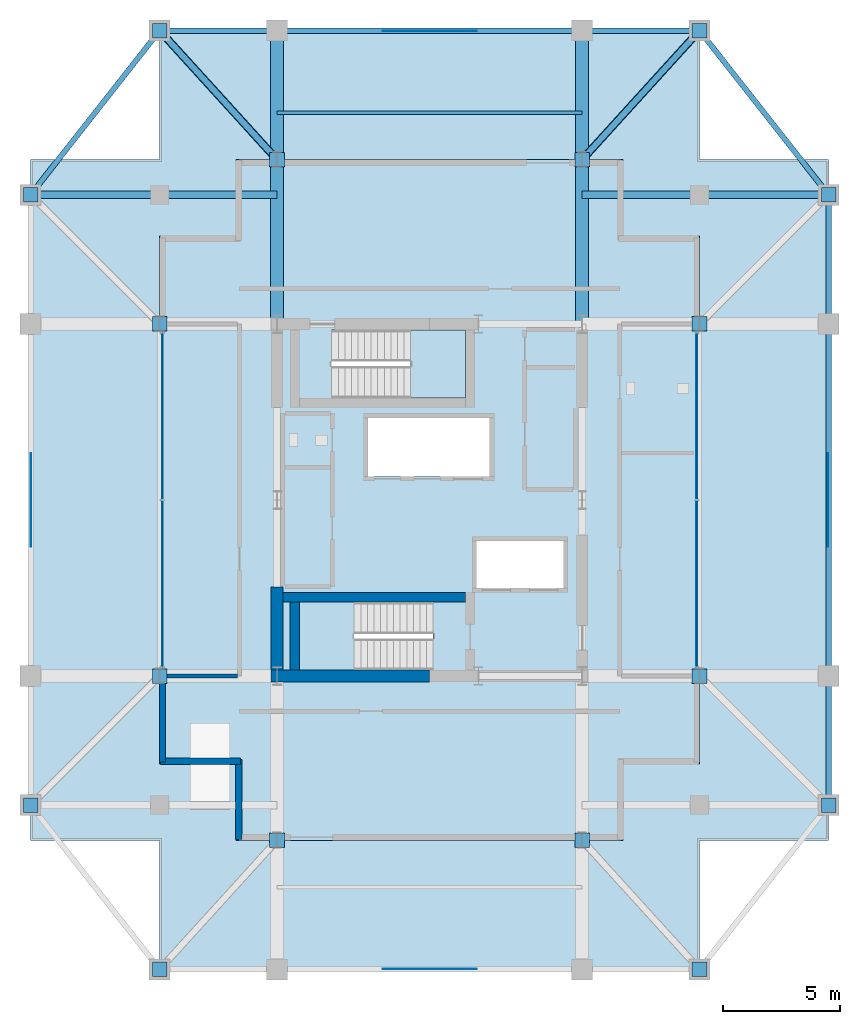
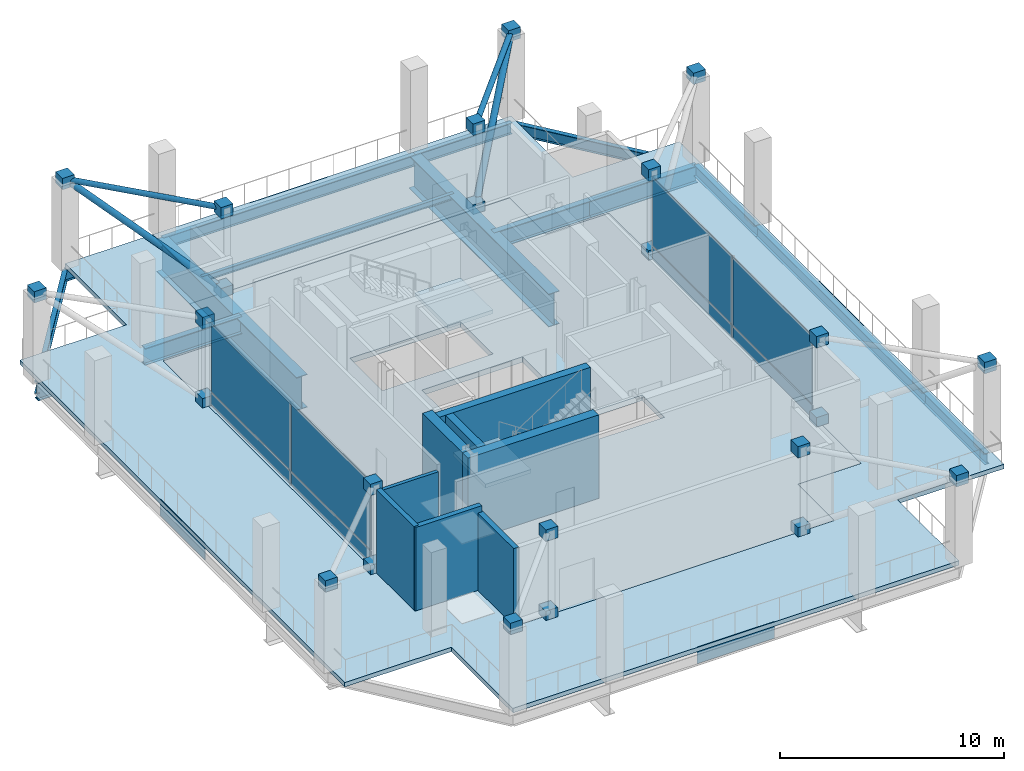
# One storey, part 11 of 17: 36 plates, 15 beams, 8 walls, 4 members, 4 slabs, 4 elements without a shape of their own.
"""IFC4 building model written with IfcOpenShell, lengths in metres."""

from ifc_helpers import new_model, si_unit, direction, frame, frame_2d, origin, origin_2d, place, context, subcontext, project, spatial, polyline, rectangle, hollow_circle, i_section, outline, extrude, material, layer, layer_set, material_profile, profile_set, type_object, element, aggregate, save


model = new_model("IFC4")

# Units and contexts
model_context = context("Model", 3, precision=1e-05, world=origin(), true_north=direction((0.0, 1.0)))
body_context = subcontext(model_context, "Body", "Model", "MODEL_VIEW")
ifc_project = project(units=[si_unit("LENGTHUNIT", "METRE"), si_unit("AREAUNIT", "SQUARE_METRE"), si_unit("VOLUMEUNIT", "CUBIC_METRE"), si_unit("PLANEANGLEUNIT", "RADIAN"), si_unit("MASSUNIT", "GRAM", prefix="KILO")], contexts=[model_context])

# Site, building, storey
site_placement = place(None, origin())
site = spatial("IfcSite", under=ifc_project, at=site_placement, CompositionType="ELEMENT")
building_placement = place(site_placement, origin())
building = spatial("IfcBuilding", under=site, at=building_placement, Name="Barlavira Tower and Art Museum", CompositionType="ELEMENT")
storey_placement = place(building_placement, frame((0.0, 0.0, 305.10009765625)))
storey = spatial("IfcBuildingStorey", under=building, at=storey_placement, Name="L80", CompositionType="ELEMENT", Elevation=305.10009765625)

# Beam
ifc_material_1 = material(Name="Steel S355", Category="steel")
ifc_material_profile_1 = material_profile(ifc_material_1, i_section(OverallWidth=0.1669921875, OverallDepth=0.31689453125, WebThickness=0.007568359375, FlangeThickness=0.01318359375, at=origin_2d()), Name="W310x52.0")
ifc_profile_set_1 = profile_set([ifc_material_profile_1], Name="Steel S355")
beam_type_1 = type_object("IfcBeamType", Name="Crown Floor Joist W310x52 Steel S355", PredefinedType="JOIST", material=ifc_profile_set_1)
beam_1_placement = place(storey_placement, frame((-6.5, 16.5, -0.45849609375), z_axis=(1.0, 0.0, 0.0), x_axis=(0.0, 1.0, 0.0)))
element("IfcBeam", 1, at=beam_1_placement, inside=storey, type_object=beam_type_1, Name="L80 Joist C2", PredefinedType="JOIST", context=body_context, shape_type="SweptSolid", body=[
    extrude(i_section(OverallWidth=0.1669921875, OverallDepth=0.31689453125, WebThickness=0.007568359375, FlangeThickness=0.01318359375, at=origin_2d()), origin(), (0.0, 0.0, 1.0), 13.0),
])

# Members
ifc_material_profile_2 = material_profile(ifc_material_1, hollow_circle(Radius=0.136474609375, WallThickness=0.012451171875, at=origin_2d()), Name="CHS 273.0x12.5")
ifc_profile_set_2 = profile_set([ifc_material_profile_2], Name="Steel S355")
member_type_1 = type_object("IfcMemberType", Name="Pale-Metal Canopy Tie Strut CHS 273x12.5 Steel S355", PredefinedType="STRUT", material=ifc_profile_set_2)
for number, where, z_axis, x_axis, name in (
    (2, (-6.5, 14.5, 4.619873046875), (-0.672672793996, 0.739940073396, 0.0), (-0.739940073396, -0.672672793996, 0.0), "L80 Lookout Canopy Horizontal Tie 7"),
    (3, (6.5, 14.5, 4.619873046875), (0.672672793996, 0.739940073396, 0.0), (-0.739940073396, 0.672672793996, 0.0), "L80 Lookout Canopy Horizontal Tie 8"),
):
    element("IfcMember", number, at=place(storey_placement, frame(where, z_axis=z_axis, x_axis=x_axis)), inside=storey, type_object=member_type_1, Name=name, PredefinedType="STRUT", context=body_context, shape_type="SweptSolid", body=[
        extrude(hollow_circle(Radius=0.136474609375, WallThickness=0.012451171875, at=origin_2d()), origin(), (0.0, 0.0, 1.0), 7.43310546875),
    ])
ifc_material_profile_3 = material_profile(ifc_material_1, hollow_circle(Radius=0.161865234375, WallThickness=0.01611328125, at=origin_2d()), Name="CHS 323.9x16.0")
ifc_profile_set_3 = profile_set([ifc_material_profile_3], Name="Steel S355")
member_type_2 = type_object("IfcMemberType", Name="Pale-Metal Crown Diagrid Tube CHS 324x16 Steel S355", PredefinedType="BRACE", material=ifc_profile_set_3)
for number, where, z_axis, x_axis, name in (
    (4, (-6.5, 14.5, 0.199951171875), (-0.578176845865, 0.635994530451, 0.511099297731), (-0.739940073396, -0.672672793996, 0.0), "L80 Lookout Canopy Raking Strut 7"),
    (5, (6.5, 14.5, 0.199951171875), (0.578176845865, 0.635994530451, 0.511099297731), (-0.739940073396, 0.672672793996, 0.0), "L80 Lookout Canopy Raking Strut 8"),
):
    element("IfcMember", number, at=place(storey_placement, frame(where, z_axis=z_axis, x_axis=x_axis)), inside=storey, type_object=member_type_2, Name=name, PredefinedType="BRACE", context=body_context, shape_type="SweptSolid", body=[
        extrude(hollow_circle(Radius=0.161865234375, WallThickness=0.01611328125, at=origin_2d()), origin(), (0.0, 0.0, 1.0), 8.64794921875),
    ])

# Beams
ifc_material_profile_4 = material_profile(ifc_material_1, i_section(OverallWidth=0.30908203125, OverallDepth=0.931884765625, WebThickness=0.01953125, FlangeThickness=0.034423828125, at=origin_2d()), Name="W920x313.0")
ifc_profile_set_4 = profile_set([ifc_material_profile_4], Name="Steel S355")
beam_type_2 = type_object("IfcBeamType", Name="Setback Ring Girder W920x313 Steel S355", PredefinedType="BEAM", material=ifc_profile_set_4)
beam_2_placement = place(storey_placement, frame((-17.0, 13.0, -0.76611328125), z_axis=(1.0, 0.0, 0.0), x_axis=(0.0, 1.0, 0.0)))
element("IfcBeam", 6, at=beam_2_placement, inside=storey, type_object=beam_type_2, Name="L80 Girder I-N1", PredefinedType="BEAM", context=body_context, shape_type="SweptSolid", body=[
    extrude(i_section(OverallWidth=0.30908203125, OverallDepth=0.931884765625, WebThickness=0.01953125, FlangeThickness=0.034423828125, at=origin_2d()), origin(), (0.0, 0.0, 1.0), 5.5),
])
for number, where, z_axis, x_axis, name in (
    (7, (-11.5, 13.0, -0.76611328125), (1.0, 0.0, 0.0), (0.0, 1.0, 0.0), "L80 Girder I-N2"),
    (8, (6.5, 13.0, -0.76611328125), (1.0, 0.0, 0.0), (0.0, 1.0, 0.0), "L80 Girder I-N3"),
):
    element("IfcBeam", number, at=place(storey_placement, frame(where, z_axis=z_axis, x_axis=x_axis)), inside=storey, type_object=beam_type_2, Name=name, PredefinedType="BEAM", context=body_context, shape_type="SweptSolid", body=[
        extrude(i_section(OverallWidth=0.30908203125, OverallDepth=0.931884765625, WebThickness=0.01953125, FlangeThickness=0.034423828125, at=origin_2d()), origin(), (0.0, 0.0, 1.0), 5.0),
    ])
beam_3_placement = place(storey_placement, frame((11.5, 13.0, -0.76611328125), z_axis=(1.0, 0.0, 0.0), x_axis=(0.0, 1.0, 0.0)))
element("IfcBeam", 9, at=beam_3_placement, inside=storey, type_object=beam_type_2, Name="L80 Girder I-N4", PredefinedType="BEAM", context=body_context, shape_type="SweptSolid", body=[
    extrude(i_section(OverallWidth=0.30908203125, OverallDepth=0.931884765625, WebThickness=0.01953125, FlangeThickness=0.034423828125, at=origin_2d()), origin(), (0.0, 0.0, 1.0), 5.5),
])
ifc_material_profile_5 = material_profile(ifc_material_1, i_section(OverallWidth=0.22998046875, OverallDepth=0.616943359375, WebThickness=0.01318359375, FlangeThickness=0.022216796875, at=origin_2d()), Name="W610x140.0")
ifc_profile_set_5 = profile_set([ifc_material_profile_5], Name="Steel S355")
beam_type_3 = type_object("IfcBeamType", Name="Upper Shaft Spandrel Edge Beam W610x140 Steel S355", PredefinedType="SPANDREL", material=ifc_profile_set_5)
beam_4_placement = place(storey_placement, frame((17.0, -13.0, -0.608642578125), z_axis=(0.0, 1.0, 0.0), x_axis=(-1.0, 0.0, 0.0)))
element("IfcBeam", 10, at=beam_4_placement, inside=storey, type_object=beam_type_3, Name="L80 Spandrel 5", PredefinedType="SPANDREL", context=body_context, shape_type="SweptSolid", body=[
    extrude(i_section(OverallWidth=0.22998046875, OverallDepth=0.616943359375, WebThickness=0.01318359375, FlangeThickness=0.022216796875, at=origin_2d()), origin(), (0.0, 0.0, 1.0), 5.5),
])
beam_5_placement = place(storey_placement, frame((17.0, -7.5, -0.608642578125), z_axis=(0.0, 1.0, 0.0), x_axis=(-1.0, 0.0, 0.0)))
element("IfcBeam", 11, at=beam_5_placement, inside=storey, type_object=beam_type_3, Name="L80 Spandrel 6", PredefinedType="SPANDREL", context=body_context, shape_type="SweptSolid", body=[
    extrude(i_section(OverallWidth=0.22998046875, OverallDepth=0.616943359375, WebThickness=0.01318359375, FlangeThickness=0.022216796875, at=origin_2d()), origin(), (0.0, 0.0, 1.0), 15.0),
])
beam_6_placement = place(storey_placement, frame((17.0, 7.5, -0.608642578125), z_axis=(0.0, 1.0, 0.0), x_axis=(-1.0, 0.0, 0.0)))
element("IfcBeam", 12, at=beam_6_placement, inside=storey, type_object=beam_type_3, Name="L80 Spandrel 7", PredefinedType="SPANDREL", context=body_context, shape_type="SweptSolid", body=[
    extrude(i_section(OverallWidth=0.22998046875, OverallDepth=0.616943359375, WebThickness=0.01318359375, FlangeThickness=0.022216796875, at=origin_2d()), origin(), (0.0, 0.0, 1.0), 5.5),
])
beam_7_placement = place(storey_placement, frame((17.0, 13.0, -0.608642578125), z_axis=(-0.617821551932, 0.786318338822, 0.0), x_axis=(-0.786318338822, -0.617821551932, 0.0)))
element("IfcBeam", 13, at=beam_7_placement, inside=storey, type_object=beam_type_3, Name="L80 Spandrel 8", PredefinedType="SPANDREL", context=body_context, shape_type="SweptSolid", body=[
    extrude(i_section(OverallWidth=0.22998046875, OverallDepth=0.616943359375, WebThickness=0.01318359375, FlangeThickness=0.022216796875, at=origin_2d()), origin(), (0.0, 0.0, 1.0), 8.90234375),
])
beam_8_placement = place(storey_placement, frame((6.5, 20.0, -0.608642578125), z_axis=(1.0, 0.0, 0.0), x_axis=(0.0, 1.0, 0.0)))
element("IfcBeam", 14, at=beam_8_placement, inside=storey, type_object=beam_type_3, Name="L80 Spandrel 9", PredefinedType="SPANDREL", context=body_context, shape_type="SweptSolid", body=[
    extrude(i_section(OverallWidth=0.22998046875, OverallDepth=0.616943359375, WebThickness=0.01318359375, FlangeThickness=0.022216796875, at=origin_2d()), origin(), (0.0, 0.0, 1.0), 5.0),
])
beam_9_placement = place(storey_placement, frame((-6.5, 20.0, -0.608642578125), z_axis=(1.0, 0.0, 0.0), x_axis=(0.0, 1.0, 0.0)))
element("IfcBeam", 15, at=beam_9_placement, inside=storey, type_object=beam_type_3, Name="L80 Spandrel 10", PredefinedType="SPANDREL", context=body_context, shape_type="SweptSolid", body=[
    extrude(i_section(OverallWidth=0.22998046875, OverallDepth=0.616943359375, WebThickness=0.01318359375, FlangeThickness=0.022216796875, at=origin_2d()), origin(), (0.0, 0.0, 1.0), 13.0),
])
beam_10_placement = place(storey_placement, frame((-11.5, 20.0, -0.608642578125), z_axis=(1.0, 0.0, 0.0), x_axis=(0.0, 1.0, 0.0)))
element("IfcBeam", 16, at=beam_10_placement, inside=storey, type_object=beam_type_3, Name="L80 Spandrel 11", PredefinedType="SPANDREL", context=body_context, shape_type="SweptSolid", body=[
    extrude(i_section(OverallWidth=0.22998046875, OverallDepth=0.616943359375, WebThickness=0.01318359375, FlangeThickness=0.022216796875, at=origin_2d()), origin(), (0.0, 0.0, 1.0), 5.0),
])
beam_11_placement = place(storey_placement, frame((-11.5, 20.0, -0.608642578125), z_axis=(-0.617821551932, -0.786318338822, 0.0), x_axis=(0.786318338822, -0.617821551932, 0.0)))
element("IfcBeam", 17, at=beam_11_placement, inside=storey, type_object=beam_type_3, Name="L80 Spandrel 12", PredefinedType="SPANDREL", context=body_context, shape_type="SweptSolid", body=[
    extrude(i_section(OverallWidth=0.22998046875, OverallDepth=0.616943359375, WebThickness=0.01318359375, FlangeThickness=0.022216796875, at=origin_2d()), origin(), (0.0, 0.0, 1.0), 8.90234375),
])
ifc_material_profile_6 = material_profile(ifc_material_1, i_section(OverallWidth=0.550048828125, OverallDepth=1.800048828125, WebThickness=0.02587890625, FlangeThickness=0.033935546875, at=origin_2d()), Name="CVS1800x520")
ifc_profile_set_6 = profile_set([ifc_material_profile_6], Name="Steel S355")
beam_type_4 = type_object("IfcBeamType", Name="Zone Setback Transfer Girder CVS1800x520 Steel S355", PredefinedType="USERDEFINED", material=ifc_profile_set_6)
for number, where, z_axis, x_axis, name in (
    (18, (-6.5, 7.5, -1.2001953125), (0.0, 1.0, 0.0), (-1.0, 0.0, 0.0), "L80 Crown Transfer Girder TG80-04"),
    (19, (6.5, 7.5, -1.2001953125), (0.0, 1.0, 0.0), (-1.0, 0.0, 0.0), "L80 Crown Transfer Girder TG80-06"),
):
    element("IfcBeam", number, at=place(storey_placement, frame(where, z_axis=z_axis, x_axis=x_axis)), inside=storey, type_object=beam_type_4, Name=name, ObjectType="TRANSFER GIRDER", PredefinedType="USERDEFINED", context=body_context, shape_type="SweptSolid", body=[
        extrude(i_section(OverallWidth=0.550048828125, OverallDepth=1.800048828125, WebThickness=0.02587890625, FlangeThickness=0.033935546875, at=origin_2d()), origin(), (0.0, 0.0, 1.0), 12.5),
    ])

# Slab
ifc_material_2 = material(Name="Concrete C50", Category="concrete")
ifc_layer_1 = layer(ifc_material_2, 0.239990234375, Name="Concrete C50")
ifc_layer_set_1 = layer_set([ifc_layer_1], Name="Concrete C50")
slab_type_1 = type_object("IfcSlabType", Name="Cascading Garden and Lookout Terrace Slab 240 Concrete C50", PredefinedType="FLOOR", material=ifc_layer_set_1)
slab_1_placement = place(storey_placement, frame((0.0, 0.0, -0.239990234375)))
element("IfcSlab", 20, at=slab_1_placement, inside=storey, type_object=slab_type_1, Name="L80 Open-Air Observation Deck Terrace Slab", PredefinedType="FLOOR", context=body_context, shape_type="SweptSolid", body=[
    extrude(outline(polyline([(-11.5, -20.0), (11.5, -20.0), (11.5, -14.5), (17.0, -14.5), (17.0, 14.5), (11.5, 14.5), (11.5, 20.0), (-11.5, 20.0), (-11.5, 14.5), (-17.0, 14.5), (-17.0, -14.5), (-11.5, -14.5), (-11.5, -20.0)]), holes=[polyline([(-8.25, -14.5), (8.25, -14.5), (8.25, -11.25), (11.5, -11.25), (11.5, 11.25), (8.25, 11.25), (8.25, 14.5), (-8.25, 14.5), (-8.25, 11.25), (-11.5, 11.25), (-11.5, -11.25), (-8.25, -11.25), (-8.25, -14.5)])]), origin(), (0.0, 0.0, 1.0), 0.239990234375),
])

# Plates
ifc_layer_2 = layer(ifc_material_1, 0.6201171875, Name="Steel S355")
ifc_layer_set_2 = layer_set([ifc_layer_2], Name="Steel S355")
plate_type_1 = type_object("IfcPlateType", Name="Crown Canopy Solid Steel Node Cap Plate Assembly Type 6 Steel S355", PredefinedType="USERDEFINED", material=ifc_layer_set_2)
for number, where, z_axis, x_axis, name in (
    (21, (-11.5, -7.5, -0.110107421875), (0.0, 0.0, 1.0), (1.0, 0.0, 0.0), "Crown Canopy Base Node 1 ND-L80-0905"),
    (22, (-17.0, -13.0, 4.309814453125), (0.0, 0.0, 1.0), (1.0, 0.0, 0.0), "Crown Canopy Tip Node 1 ND-L80-0906"),
    (23, (-11.5, -7.5, 4.309814453125), (0.0, 0.0, 1.0), (1.0, 0.0, 0.0), "Crown Canopy Head Node 1 ND-L80-0907"),
    (24, (11.5, -7.5, -0.110107421875), (0.0, 0.0, 1.0), (1.0, 0.0, 0.0), "Crown Canopy Base Node 2 ND-L80-0908"),
    (25, (17.0, -13.0, 4.309814453125), (0.0, 0.0, 1.0), (1.0, 0.0, 0.0), "Crown Canopy Tip Node 2 ND-L80-0909"),
    (26, (11.5, -7.5, 4.309814453125), (0.0, 0.0, 1.0), (1.0, 0.0, 0.0), "Crown Canopy Head Node 2 ND-L80-0910"),
    (27, (-11.5, 7.5, -0.110107421875), (0.0, 0.0, 1.0), (1.0, 0.0, 0.0), "Crown Canopy Base Node 3 ND-L80-0911"),
    (28, (-17.0, 13.0, 4.309814453125), (0.0, 0.0, 1.0), (1.0, 0.0, 0.0), "Crown Canopy Tip Node 3 ND-L80-0912"),
    (29, (-11.5, 7.5, 4.309814453125), (0.0, 0.0, 1.0), (1.0, 0.0, 0.0), "Crown Canopy Head Node 3 ND-L80-0913"),
    (30, (11.5, 7.5, -0.110107421875), (0.0, 0.0, 1.0), (1.0, 0.0, 0.0), "Crown Canopy Base Node 4 ND-L80-0914"),
    (31, (17.0, 13.0, 4.309814453125), (0.0, 0.0, 1.0), (1.0, 0.0, 0.0), "Crown Canopy Tip Node 4 ND-L80-0915"),
    (32, (11.5, 7.5, 4.309814453125), (0.0, 0.0, 1.0), (1.0, 0.0, 0.0), "Crown Canopy Head Node 4 ND-L80-0916"),
    (33, (-6.5, -14.5, -0.110107421875), (0.0, 0.0, 1.0), (1.0, 0.0, 0.0), "Crown Canopy Base Node 5 ND-L80-0917"),
    (34, (-11.5, -20.0, 4.309814453125), (0.0, 0.0, 1.0), (1.0, 0.0, 0.0), "Crown Canopy Tip Node 5 ND-L80-0918"),
    (35, (-6.5, -14.5, 4.309814453125), (0.0, 0.0, 1.0), (1.0, 0.0, 0.0), "Crown Canopy Head Node 5 ND-L80-0919"),
    (36, (6.5, -14.5, -0.110107421875), (0.0, 0.0, 1.0), (1.0, 0.0, 0.0), "Crown Canopy Base Node 6 ND-L80-0920"),
    (37, (11.5, -20.0, 4.309814453125), (0.0, 0.0, 1.0), (1.0, 0.0, 0.0), "Crown Canopy Tip Node 6 ND-L80-0921"),
    (38, (6.5, -14.5, 4.309814453125), (0.0, 0.0, 1.0), (1.0, 0.0, 0.0), "Crown Canopy Head Node 6 ND-L80-0922"),
    (39, (-6.5, 14.5, -0.110107421875), (0.0, 0.0, 1.0), (1.0, 0.0, 0.0), "Crown Canopy Base Node 7 ND-L80-0923"),
    (40, (-11.5, 20.0, 4.309814453125), (0.0, 0.0, 1.0), (1.0, 0.0, 0.0), "Crown Canopy Tip Node 7 ND-L80-0924"),
    (41, (-6.5, 14.5, 4.309814453125), (0.0, 0.0, 1.0), (1.0, 0.0, 0.0), "Crown Canopy Head Node 7 ND-L80-0925"),
    (42, (6.5, 14.5, -0.110107421875), (0.0, 0.0, 1.0), (1.0, 0.0, 0.0), "Crown Canopy Base Node 8 ND-L80-0926"),
    (43, (11.5, 20.0, 4.309814453125), (0.0, 0.0, 1.0), (1.0, 0.0, 0.0), "Crown Canopy Tip Node 8 ND-L80-0927"),
    (44, (6.5, 14.5, 4.309814453125), (0.0, 0.0, 1.0), (1.0, 0.0, 0.0), "Crown Canopy Head Node 8 ND-L80-0928"),
):
    element("IfcPlate", number, at=place(storey_placement, frame(where, z_axis=z_axis, x_axis=x_axis)), inside=storey, type_object=plate_type_1, Name=name, ObjectType="FLANGE_PLATE", PredefinedType="USERDEFINED", context=body_context, shape_type="SweptSolid", body=[
        extrude(rectangle(XDim=0.6201171875, YDim=0.6201171875, at=origin_2d()), origin(), (0.0, 0.0, 1.0), 0.6201171875),
    ])

# Curtain wall, plates
ifc_material_3 = material(Name="Low-iron coastal laminated glass", Category="glass")
ifc_layer_3 = layer(ifc_material_3, 0.22998046875, Name="Low-iron coastal laminated glass")
ifc_layer_set_3 = layer_set([ifc_layer_3], Name="Low-iron coastal laminated glass")
curtain_wall_type = type_object("IfcCurtainWallType", Name="Winter-Garden Conservatory Glazed Curtain Wall", PredefinedType="NOTDEFINED", material=ifc_layer_set_3)
curtain_wall_1_placement = place(storey_placement, origin())
curtain_wall_1 = element("IfcCurtainWall", 45, at=curtain_wall_1_placement, inside=storey, type_object=curtain_wall_type, Name="L80 Curtain Wall CW7-L80-W-B2", PredefinedType="NOTDEFINED")
ifc_material_4 = material(Name="Pale anodised aluminium", Category="aluminium")
ifc_layer_4 = layer(ifc_material_4, 0.044921875, Name="Pale anodised aluminium")
ifc_layer_set_4 = layer_set([ifc_layer_4], Name="Pale anodised aluminium")
plate_type_2 = type_object("IfcPlateType", Name="Curtain Wall Pale-Metal Spandrel Panel 45", PredefinedType="CURTAIN_PANEL", material=ifc_layer_set_4)
plate_1_placement = place(storey_placement, frame((-11.3798828125, 3.582763671875, 0.0400390625), z_axis=(0.0, 0.0, 1.0), x_axis=(0.0, -1.0, 0.0)))
plate_1 = element("IfcPlate", 46, at=plate_1_placement, type_object=plate_type_2, Name="CW7-L80-W-B2 Spandrel Panel 0", PredefinedType="CURTAIN_PANEL", context=body_context, shape_type="SweptSolid", body=[
    extrude(rectangle(XDim=7.0654296875, YDim=0.044921875, at=origin_2d()), origin(), (0.0, 0.0, 1.0), 0.669921875),
])
plate_2_placement = place(storey_placement, frame((-11.3798828125, -3.582763671875, 0.0400390625), z_axis=(0.0, 0.0, 1.0), x_axis=(0.0, -1.0, 0.0)))
plate_2 = element("IfcPlate", 47, at=plate_2_placement, type_object=plate_type_2, Name="CW7-L80-W-B2 Spandrel Panel 1", PredefinedType="CURTAIN_PANEL", context=body_context, shape_type="SweptSolid", body=[
    extrude(rectangle(XDim=7.0654296875, YDim=0.044921875, at=origin_2d()), origin(), (0.0, 0.0, 1.0), 0.669921875),
])

curtain_wall_2_placement = place(storey_placement, origin())
curtain_wall_2 = element("IfcCurtainWall", 48, at=curtain_wall_2_placement, inside=storey, type_object=curtain_wall_type, Name="L80 Curtain Wall CW7-L80-E-B2", PredefinedType="NOTDEFINED")
plate_3_placement = place(storey_placement, frame((11.3798828125, -3.582763671875, 0.0400390625), z_axis=(0.0, 0.0, 1.0), x_axis=(0.0, 1.0, 0.0)))
plate_3 = element("IfcPlate", 49, at=plate_3_placement, type_object=plate_type_2, Name="CW7-L80-E-B2 Spandrel Panel 0", PredefinedType="CURTAIN_PANEL", context=body_context, shape_type="SweptSolid", body=[
    extrude(rectangle(XDim=7.0654296875, YDim=0.044921875, at=origin_2d()), origin(), (0.0, 0.0, 1.0), 0.669921875),
])
plate_4_placement = place(storey_placement, frame((11.3798828125, 3.582763671875, 0.0400390625), z_axis=(0.0, 0.0, 1.0), x_axis=(0.0, 1.0, 0.0)))
plate_4 = element("IfcPlate", 50, at=plate_4_placement, type_object=plate_type_2, Name="CW7-L80-E-B2 Spandrel Panel 1", PredefinedType="CURTAIN_PANEL", context=body_context, shape_type="SweptSolid", body=[
    extrude(rectangle(XDim=7.0654296875, YDim=0.044921875, at=origin_2d()), origin(), (0.0, 0.0, 1.0), 0.669921875),
])

# Plate
ifc_layer_5 = layer(ifc_material_3, 0.028076171875, Name="Low-iron coastal laminated glass")
ifc_layer_set_5 = layer_set([ifc_layer_5], Name="Low-iron coastal laminated glass")
plate_type_3 = type_object("IfcPlateType", Name="Curtain Wall Vision Glazing Panel 28", PredefinedType="CURTAIN_PANEL", material=ifc_layer_set_5)
plate_5_placement = place(storey_placement, frame((-11.3798828125, 3.582763671875, 0.7900390625), z_axis=(0.0, 0.0, 1.0), x_axis=(0.0, -1.0, 0.0)))
plate_5 = element("IfcPlate", 51, at=plate_5_placement, type_object=plate_type_3, Name="CW7-L80-W-B2 Vision Glass Panel 0", PredefinedType="CURTAIN_PANEL", context=body_context, shape_type="SweptSolid", body=[
    extrude(rectangle(XDim=7.0654296875, YDim=0.028076171875, at=origin_2d()), origin(), (0.0, 0.0, 1.0), 3.719970703125),
])

plate_6_placement = place(storey_placement, frame((-11.3798828125, -3.582763671875, 0.7900390625), z_axis=(0.0, 0.0, 1.0), x_axis=(0.0, -1.0, 0.0)))
plate_6 = element("IfcPlate", 52, at=plate_6_placement, type_object=plate_type_3, Name="CW7-L80-W-B2 Vision Glass Panel 1", PredefinedType="CURTAIN_PANEL", context=body_context, shape_type="SweptSolid", body=[
    extrude(rectangle(XDim=7.0654296875, YDim=0.028076171875, at=origin_2d()), origin(), (0.0, 0.0, 1.0), 3.719970703125),
])

aggregate(curtain_wall_1, [plate_1, plate_5, plate_2, plate_6])

plate_7_placement = place(storey_placement, frame((11.3798828125, -3.582763671875, 0.7900390625), z_axis=(0.0, 0.0, 1.0), x_axis=(0.0, 1.0, 0.0)))
plate_7 = element("IfcPlate", 53, at=plate_7_placement, type_object=plate_type_3, Name="CW7-L80-E-B2 Vision Glass Panel 0", PredefinedType="CURTAIN_PANEL", context=body_context, shape_type="SweptSolid", body=[
    extrude(rectangle(XDim=7.0654296875, YDim=0.028076171875, at=origin_2d()), origin(), (0.0, 0.0, 1.0), 3.719970703125),
])

plate_8_placement = place(storey_placement, frame((11.3798828125, 3.582763671875, 0.7900390625), z_axis=(0.0, 0.0, 1.0), x_axis=(0.0, 1.0, 0.0)))
plate_8 = element("IfcPlate", 54, at=plate_8_placement, type_object=plate_type_3, Name="CW7-L80-E-B2 Vision Glass Panel 1", PredefinedType="CURTAIN_PANEL", context=body_context, shape_type="SweptSolid", body=[
    extrude(rectangle(XDim=7.0654296875, YDim=0.028076171875, at=origin_2d()), origin(), (0.0, 0.0, 1.0), 3.719970703125),
])

aggregate(curtain_wall_2, [plate_3, plate_7, plate_4, plate_8])

# Plates
ifc_material_5 = material(Name="Pale anodised steel S355", Category="steel")
ifc_layer_6 = layer(ifc_material_5, 0.89990234375, Name="Pale anodised steel S355")
ifc_layer_set_6 = layer_set([ifc_layer_6], Name="Pale anodised steel S355")
plate_type_4 = type_object("IfcPlateType", Name="Pale-Metal Architectural Fascia Sheet Plate 25 Steel S355", PredefinedType="SHEET", material=ifc_layer_set_6)
for number, where, z_axis, x_axis, name in (
    (55, (0.0, -19.97998046875, -0.900146484375), (0.0, 0.0, 1.0), (1.0, 0.0, 0.0), "L80 Pale-Metal Fascia Sheet Plate 5"),
    (56, (0.0, 19.97998046875, -0.900146484375), (0.0, 0.0, 1.0), (1.0, 0.0, 0.0), "L80 Pale-Metal Fascia Sheet Plate 6"),
    (57, (-16.97998046875, 0.0, -0.900146484375), (0.0, 0.0, 1.0), (0.0, 1.0, 0.0), "L80 Pale-Metal Fascia Sheet Plate 7"),
    (58, (16.97998046875, 0.0, -0.900146484375), (0.0, 0.0, 1.0), (0.0, 1.0, 0.0), "L80 Pale-Metal Fascia Sheet Plate 8"),
):
    element("IfcPlate", number, at=place(storey_placement, frame(where, z_axis=z_axis, x_axis=x_axis)), inside=storey, type_object=plate_type_4, Name=name, PredefinedType="SHEET", context=body_context, shape_type="SweptSolid", body=[
        extrude(rectangle(XDim=4.0, YDim=0.02490234375, at=origin_2d()), origin(), (0.0, 0.0, 1.0), 0.89990234375),
    ])

# Slab
ifc_material_6 = material(Name="Concrete C55", Category="concrete")
ifc_layer_7 = layer(ifc_material_6, 0.300048828125, Name="Concrete C55")
ifc_layer_set_7 = layer_set([ifc_layer_7], Name="Concrete C55")
slab_type_2 = type_object("IfcSlabType", Name="Sky-Lobby and Wind-Refuge Heavy Slab 300 Concrete C55", PredefinedType="FLOOR", material=ifc_layer_set_7)
slab_2_placement = place(storey_placement, frame((0.0, 0.0, -0.300048828125)))
element("IfcSlab", 59, at=slab_2_placement, inside=storey, type_object=slab_type_2, Name="L80 Observation Sky Lounge Floor Slab", PredefinedType="FLOOR", context=body_context, shape_type="SweptSolid", body=[
    extrude(outline(polyline([(-8.25, -14.5), (8.25, -14.5), (8.25, -11.25), (11.5, -11.25), (11.5, 11.25), (8.25, 11.25), (8.25, 14.5), (-8.25, 14.5), (-8.25, 11.25), (-11.5, 11.25), (-11.5, -11.25), (-8.25, -11.25), (-8.25, -14.5)]), holes=[polyline([(0.14990234375, -4.35009765625), (-5.550048828125, -4.35009765625), (-5.550048828125, -7.25), (0.14990234375, -7.25), (0.14990234375, -4.35009765625)]), polyline([(-4.169921875, 4.35009765625), (1.530029296875, 4.35009765625), (1.530029296875, 7.25), (-4.169921875, 7.25), (-4.169921875, 4.35009765625)]), polyline([(-2.6201171875, 1.0), (2.56005859375, 1.0), (2.56005859375, 3.5), (-2.6201171875, 3.5), (-2.6201171875, 1.0)]), polyline([(2.0, -3.75), (5.699951171875, -3.75), (5.699951171875, -1.75), (2.0, -1.75), (2.0, -3.75)])]), origin(), (0.0, 0.0, 1.0), 0.300048828125),
])

# Stair, slab
ifc_material_7 = material(Name="Concrete C45", Category="concrete")
stair_type_1 = type_object("IfcStairType", Name="Tower North Dog-Leg Exit Stair Assembly Concrete C45", PredefinedType="TWO_QUARTER_TURN_STAIR", material=ifc_material_7)
stair_1_placement = place(storey_placement, origin())
stair_1 = element("IfcStair", 60, at=stair_1_placement, inside=storey, type_object=stair_type_1, Name="L80 Tower North Exit Stair ST-T2", PredefinedType="TWO_QUARTER_TURN_STAIR")
ifc_layer_8 = layer(ifc_material_7, 0.199951171875, Name="Concrete C45")
ifc_layer_set_8 = layer_set([ifc_layer_8], Name="Concrete C45")
slab_type_3 = type_object("IfcSlabType", Name="Tower North Dog-Leg Exit Stair Half-Landing Slab 200 Concrete C45", PredefinedType="LANDING", material=ifc_layer_set_8)
slab_3_placement = place(storey_placement, frame((0.0, 0.0, 2.199951171875)))
slab_3 = element("IfcSlab", 61, at=slab_3_placement, type_object=slab_type_3, Name="ST-T2 landing 1", PredefinedType="LANDING", context=body_context, shape_type="SweptSolid", body=[
    extrude(outline(polyline([(-0.81005859375, 4.35009765625), (1.530029296875, 4.35009765625), (1.530029296875, 7.25), (-0.81005859375, 7.25), (-0.81005859375, 4.35009765625)])), origin(), (0.0, 0.0, 1.0), 0.199951171875),
])
aggregate(stair_1, [slab_3])

stair_type_2 = type_object("IfcStairType", Name="Tower South Dog-Leg Exit Stair Assembly Concrete C45", PredefinedType="TWO_QUARTER_TURN_STAIR", material=ifc_material_7)
stair_2_placement = place(storey_placement, origin())
stair_2 = element("IfcStair", 62, at=stair_2_placement, inside=storey, type_object=stair_type_2, Name="L80 Tower South Exit Stair ST-T1", PredefinedType="TWO_QUARTER_TURN_STAIR")
ifc_layer_9 = layer(ifc_material_7, 0.199951171875, Name="Concrete C45")
ifc_layer_set_9 = layer_set([ifc_layer_9], Name="Concrete C45")
slab_type_4 = type_object("IfcSlabType", Name="Tower South Dog-Leg Exit Stair Half-Landing Slab 200 Concrete C45", PredefinedType="LANDING", material=ifc_layer_set_9)
slab_4_placement = place(storey_placement, frame((0.0, 0.0, 2.199951171875)))
slab_4 = element("IfcSlab", 63, at=slab_4_placement, type_object=slab_type_4, Name="ST-T1 landing 1", PredefinedType="LANDING", context=body_context, shape_type="SweptSolid", body=[
    extrude(outline(polyline([(-3.2099609375, -4.35009765625), (-5.550048828125, -4.35009765625), (-5.550048828125, -7.25), (-3.2099609375, -7.25), (-3.2099609375, -4.35009765625)])), origin(), (0.0, 0.0, 1.0), 0.199951171875),
])
aggregate(stair_2, [slab_4])

# Walls
ifc_material_8 = material(Name="Concrete C60", Category="concrete")
ifc_layer_10 = layer(ifc_material_8, 0.5, Name="Concrete C60")
ifc_layer_set_10 = layer_set([ifc_layer_10], Name="Concrete C60")
wall_type_1 = type_object("IfcWallType", Name="Core Structural Shear Wall 500 Concrete C60", PredefinedType="SHEAR", material=ifc_layer_set_10)
wall_1_placement = place(storey_placement, frame((-6.75, -7.5, 0.0), z_axis=(0.0, 0.0, 1.0), x_axis=(1.0, 0.0, 0.0)))
element("IfcWall", 64, at=wall_1_placement, inside=storey, type_object=wall_type_1, Name="L80 Core Shear Wall CS-SW", PredefinedType="SHEAR", context=body_context, shape_type="SweptSolid", body=[
    extrude(rectangle(XDim=6.75, YDim=0.5, at=frame_2d((3.375, 0.0))), origin(), (0.0, 0.0, 1.0), 4.5498046875),
])
wall_2_placement = place(storey_placement, frame((-6.5, -7.25, 0.0), z_axis=(0.0, 0.0, 1.0), x_axis=(0.0, 1.0, 0.0)))
element("IfcWall", 65, at=wall_2_placement, inside=storey, type_object=wall_type_1, Name="L80 Core Shear Wall CS-W1", PredefinedType="SHEAR", context=body_context, shape_type="SweptSolid", body=[
    extrude(rectangle(XDim=3.550048828125, YDim=0.5, at=frame_2d((1.77490234375, 0.0))), origin(), (0.0, 0.0, 1.0), 4.5498046875),
])
ifc_material_9 = material(Name="Architectural white precast concrete C40", Category="concrete")
ifc_layer_11 = layer(ifc_material_9, 0.260009765625, Name="Architectural white precast concrete C40")
ifc_layer_set_11 = layer_set([ifc_layer_11], Name="Architectural white precast concrete C40")
wall_type_2 = type_object("IfcWallType", Name="Crown Architectural White Precast Wall 260 Concrete C40", PredefinedType="SOLIDWALL", material=ifc_layer_set_11)
wall_3_placement = place(storey_placement, frame((-11.4599609375, -11.1298828125, 0.0), z_axis=(0.0, 0.0, 1.0), x_axis=(1.0, 0.0, 0.0)))
element("IfcWall", 66, at=wall_3_placement, inside=storey, type_object=wall_type_2, Name="L80 Crown Notch White Precast Wall SW1", PredefinedType="SOLIDWALL", context=body_context, shape_type="SweptSolid", body=[
    extrude(rectangle(XDim=3.409912109375, YDim=0.260009765625, at=frame_2d((1.705078125, 0.0))), origin(), (0.0, 0.0, 1.0), 4.5498046875),
])
wall_4_placement = place(storey_placement, frame((-8.1298828125, -11.050048828125, 0.0), z_axis=(0.0, 0.0, 1.0), x_axis=(0.0, -1.0, 0.0)))
element("IfcWall", 67, at=wall_4_placement, inside=storey, type_object=wall_type_2, Name="L80 Crown Notch White Precast Wall SW2", PredefinedType="SOLIDWALL", context=body_context, shape_type="SweptSolid", body=[
    extrude(rectangle(XDim=3.409912109375, YDim=0.260009765625, at=frame_2d((1.705078125, 0.0))), origin(), (0.0, 0.0, 1.0), 4.218017578125),
])
ifc_material_10 = material(Name="Gypsum acoustic stud partition", Category="gypsum")
ifc_layer_12 = layer(ifc_material_10, 0.179931640625, Name="Gypsum acoustic stud partition")
ifc_layer_set_12 = layer_set([ifc_layer_12], Name="Gypsum acoustic stud partition")
wall_type_3 = type_object("IfcWallType", Name="Inter-Tenancy Party Partition Wall 180", PredefinedType="PARTITIONING", material=ifc_layer_set_12)
wall_5_placement = place(storey_placement, frame((-11.25, -7.5, 0.0), z_axis=(0.0, 0.0, 1.0), x_axis=(1.0, 0.0, 0.0)))
element("IfcWall", 68, at=wall_5_placement, inside=storey, type_object=wall_type_3, Name="L80 Partition Wall 8", PredefinedType="PARTITIONING", context=body_context, shape_type="SweptSolid", body=[
    extrude(rectangle(XDim=3.070068359375, YDim=0.179931640625, at=frame_2d((1.53515625, 0.0))), origin(), (0.0, 0.0, 1.0), 4.218017578125),
])
ifc_material_11 = material(Name="Precast concrete C40", Category="concrete")
ifc_layer_13 = layer(ifc_material_11, 0.25, Name="Precast concrete C40")
ifc_layer_set_13 = layer_set([ifc_layer_13], Name="Precast concrete C40")
wall_type_4 = type_object("IfcWallType", Name="Notched Corner Spandrel Wall 250 Precast Concrete C40", PredefinedType="SOLIDWALL", material=ifc_layer_set_13)
wall_6_placement = place(storey_placement, frame((-11.3798828125, -7.8095703125, 0.0), z_axis=(0.0, 0.0, 1.0), x_axis=(0.0, -1.0, 0.0)))
element("IfcWall", 69, at=wall_6_placement, inside=storey, type_object=wall_type_4, Name="L80 Coastal Facade Pier Wall CW7-L80-W-3", PredefinedType="SOLIDWALL", context=body_context, shape_type="SweptSolid", body=[
    extrude(rectangle(XDim=3.345458984375, YDim=0.25, at=frame_2d((1.6728515625, 0.0))), origin(), (0.0, 0.0, 1.0), 4.5498046875),
])
ifc_layer_14 = layer(ifc_material_6, 0.39990234375, Name="Concrete C55")
ifc_layer_set_14 = layer_set([ifc_layer_14], Name="Concrete C55")
wall_type_5 = type_object("IfcWallType", Name="Upper Core Shear Wall 400 Concrete C55", PredefinedType="SHEAR", material=ifc_layer_set_14)
wall_7_placement = place(storey_placement, frame((-5.75, -7.25, 0.0), z_axis=(0.0, 0.0, 1.0), x_axis=(0.0, 1.0, 0.0)))
element("IfcWall", 70, at=wall_7_placement, inside=storey, type_object=wall_type_5, Name="L80 ST-T1 West Half-Landing Wall", PredefinedType="SHEAR", context=body_context, shape_type="SweptSolid", body=[
    extrude(rectangle(XDim=2.89990234375, YDim=0.39990234375, at=frame_2d((1.449951171875, 0.0))), origin(), (0.0, 0.0, 1.0), 4.5498046875),
])
wall_8_placement = place(storey_placement, frame((-6.25, -4.14990234375, 0.0), z_axis=(0.0, 0.0, 1.0), x_axis=(1.0, 0.0, 0.0)))
element("IfcWall", 71, at=wall_8_placement, inside=storey, type_object=wall_type_5, Name="L80 ST-T1 North Shaft Wall", PredefinedType="SHEAR", context=body_context, shape_type="SweptSolid", body=[
    extrude(rectangle(XDim=7.780029296875, YDim=0.39990234375, at=frame_2d((3.89013671875, 0.0))), origin(), (0.0, 0.0, 1.0), 4.5498046875),
])

save(model, "model.ifc")
